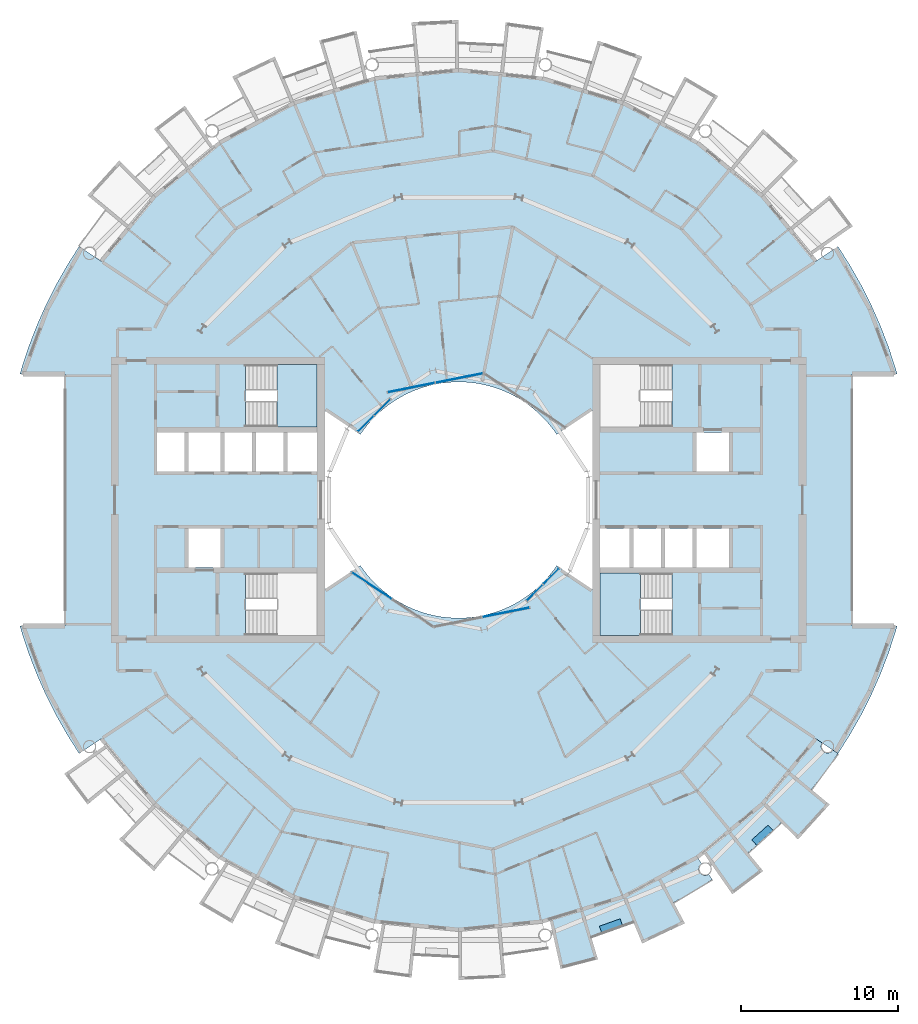
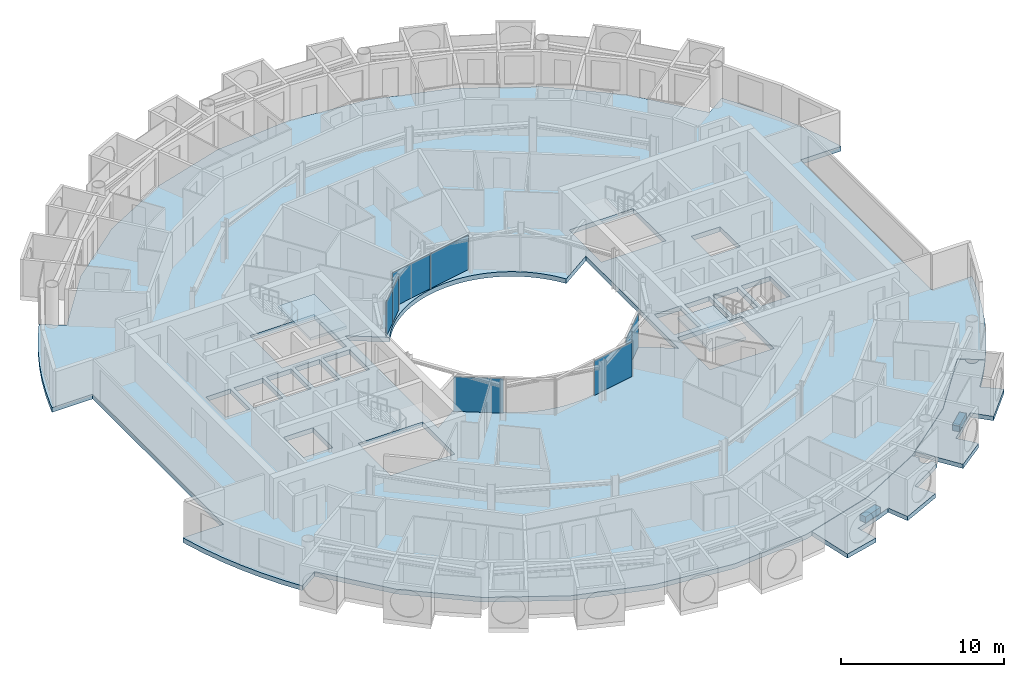
# One storey, part 11 of 27: 8 plates, 7 slabs, 7 elements without a shape of their own.
"""IFC4 building model written with IfcOpenShell, lengths in metres."""

import ifcopenshell
import ifcopenshell.guid

model = None  # the IFC model being written
_history = None  # IfcOwnerHistory: only IFC2X3 demands one
_inside = {}  # id of a spatial element -> (the spatial element, [elements in it])
_under = {}  # id of a project, library or spatial element -> (it, [spatial elements below it])
_declared = {}  # id of a project -> (the project, [libraries it declares])
_typed = {}  # id of a type object -> (the type object, [elements of that type])
_made_of = {}  # id of a material, layer set ... -> (it, [elements and type objects made of it])


def new_model(schema):
    """Start an empty IFC model of exactly this schema.

    Asked for "IFC4X3", IfcOpenShell would pick the latest addendum, in which some entities
    have other attributes; the version numbers below select the first issue.
    IFC2X3 requires an IfcOwnerHistory on every rooted entity: one is made here for all.
    """
    global model, _history
    if schema == "IFC4X3":
        model = ifcopenshell.file(schema_version=(4, 3, 0, 0))
    else:
        model = ifcopenshell.file(schema=schema)
    _inside.clear()
    _under.clear()
    _declared.clear()
    _typed.clear()
    _made_of.clear()
    _history = None
    if model.schema == "IFC2X3":
        org = make("IfcOrganization", Name="unknown")
        user = make(
            "IfcPersonAndOrganization",
            ThePerson=make("IfcPerson", FamilyName="unknown"),
            TheOrganization=org,
        )
        app = make(
            "IfcApplication",
            ApplicationDeveloper=org,
            Version="unknown",
            ApplicationFullName="unknown",
            ApplicationIdentifier="unknown",
        )
        _history = make(
            "IfcOwnerHistory",
            OwningUser=user,
            OwningApplication=app,
            ChangeAction="ADDED",
            CreationDate=0,
        )
    return model


def make(cls, **values):
    """One entity of the class cls with the attributes given. An attribute that is None is left unset."""
    return model.create_entity(
        cls, **{name: value for name, value in values.items() if value is not None}
    )


def rooted(cls, **values):
    """An entity with a GlobalId (a new one), such as an element, a storey or a relation."""
    return make(cls, GlobalId=ifcopenshell.guid.new(), OwnerHistory=_history, **values)


def si_unit(unit_type, name, prefix=None):
    """IfcSIUnit, for example si_unit("LENGTHUNIT", "METRE", prefix="MILLI")."""
    return make("IfcSIUnit", UnitType=unit_type, Prefix=prefix, Name=name)


def assignment(units):
    """IfcUnitAssignment: the units of a project."""
    return None if units is None else make("IfcUnitAssignment", Units=units)


def point(xyz):
    """IfcCartesianPoint."""
    return None if xyz is None else make("IfcCartesianPoint", Coordinates=xyz)


def direction(xyz):
    """IfcDirection."""
    return None if xyz is None else make("IfcDirection", DirectionRatios=xyz)


def frame(location, z_axis=None, x_axis=None):
    """IfcAxis2Placement3D, a coordinate frame: its origin and axes. An axis left out is left unset."""
    return make(
        "IfcAxis2Placement3D",
        Location=point(location),
        Axis=direction(z_axis),
        RefDirection=direction(x_axis),
    )


def frame_2d(location, x_axis=None):
    """IfcAxis2Placement2D, a coordinate frame in the plane: its origin and x axis."""
    return make(
        "IfcAxis2Placement2D", Location=point(location), RefDirection=direction(x_axis)
    )


def origin():
    """The frame at (0, 0, 0) with its axes left unset."""
    return frame((0.0, 0.0, 0.0))


def origin_2d():
    """The frame at (0, 0) in the plane with its x axis left unset."""
    return frame_2d((0.0, 0.0))


def place(relative_to, where):
    """IfcLocalPlacement: puts the frame where relative to a parent placement (None: the world)."""
    return make(
        "IfcLocalPlacement", PlacementRelTo=relative_to, RelativePlacement=where
    )


def context(
    kind, dimensions, precision=None, world=None, true_north=None, identifier=None
):
    """IfcGeometricRepresentationContext, for example the 3D "Model" context."""
    return make(
        "IfcGeometricRepresentationContext",
        ContextIdentifier=identifier,
        ContextType=kind,
        CoordinateSpaceDimension=dimensions,
        Precision=precision,
        WorldCoordinateSystem=world,
        TrueNorth=true_north,
    )


def subcontext(parent, identifier, kind, view, scale=None):
    """IfcGeometricRepresentationSubContext, for example "Body" below "Model"."""
    return make(
        "IfcGeometricRepresentationSubContext",
        ContextIdentifier=identifier,
        ContextType=kind,
        ParentContext=parent,
        TargetScale=scale,
        TargetView=view,
    )


def project(units=None, contexts=None):
    """IfcProject with its units and contexts."""
    return rooted(
        "IfcProject",
        Name="project",
        RepresentationContexts=contexts,
        UnitsInContext=assignment(units),
    )


def spatial(cls, under=None, at=None, **own):
    """A site, building, storey or space (cls), placed at a placement, below another one or the project."""
    s = rooted(cls, ObjectPlacement=at, **own)
    if under is not None:
        _under.setdefault(under.id(), (under, []))[1].append(s)
    return s


def polyline(points):
    """IfcPolyline through the points."""
    return make("IfcPolyline", Points=[point(p) for p in points])


def profile(cls, at=None, kind="AREA", **sizes):
    """A parametric profile (cls). Its sizes go by their IFC names, for example OverallWidth=200.0."""
    return make(cls, ProfileType=kind, Position=at, **sizes)


def rectangle(**sizes):
    """IfcRectangleProfileDef."""
    return profile("IfcRectangleProfileDef", **sizes)


def outline(outer, holes=None, kind="AREA"):
    """IfcArbitraryClosedProfileDef: a profile drawn as a closed curve; with holes, ...WithVoids."""
    if holes is None:
        return make("IfcArbitraryClosedProfileDef", ProfileType=kind, OuterCurve=outer)
    return make(
        "IfcArbitraryProfileDefWithVoids",
        ProfileType=kind,
        OuterCurve=outer,
        InnerCurves=holes,
    )


def extrude(swept, where, along, depth):
    """IfcExtrudedAreaSolid: the profile swept, set in the frame where, extruded along a direction by depth."""
    return make(
        "IfcExtrudedAreaSolid",
        SweptArea=swept,
        Position=where,
        ExtrudedDirection=direction(along),
        Depth=depth,
    )


def shape(context_of_items, identifier, shape_type, items):
    """IfcShapeRepresentation: the items that make up one representation, for example the "Body"."""
    return make(
        "IfcShapeRepresentation",
        ContextOfItems=context_of_items,
        RepresentationIdentifier=identifier,
        RepresentationType=shape_type,
        Items=items,
    )


def material(Name=None, Category=None):
    """IfcMaterial."""
    return make("IfcMaterial", Name=Name, Category=Category)


def layer(
    of_material, thickness, ventilated=None, Name=None, Category=None, Priority=None
):
    """IfcMaterialLayer: one layer of a wall or slab, of a material (None: an air gap)."""
    return make(
        "IfcMaterialLayer",
        Material=of_material,
        LayerThickness=thickness,
        IsVentilated=ventilated,
        Name=Name,
        Category=Category,
        Priority=Priority,
    )


def layer_set(layers, Name=None):
    """IfcMaterialLayerSet."""
    return make("IfcMaterialLayerSet", MaterialLayers=layers, LayerSetName=Name)


def made_of(thing, what):
    """Note that an element or type object is made of a material, layer set ...; save() writes the relation."""
    if what is not None:
        _made_of.setdefault(what.id(), (what, []))[1].append(thing)
    return thing


def type_object(cls, material=None, **own):
    """A type object (cls), such as IfcWallType, which elements share."""
    return made_of(rooted(cls, **own), material)


def element(
    cls,
    number,
    at=None,
    inside=None,
    cuts=None,
    type_object=None,
    material=None,
    context=None,
    identifier="Body",
    shape_type=None,
    held_by="IfcProductDefinitionShape",
    body=None,
    shapes=None,
    **own,
):
    """One element of the class cls, such as IfcWall. Its Tag is "e" and its number.

    at: its placement. inside: the storey or other place that contains it. cuts: it is an
    opening in that element (IfcRelVoidsElement). A single representation is given by context,
    identifier, shape_type and body (its items); several are given by shapes. held_by: the class
    of the entity that holds the representations. save() writes the other relations.
    """
    e = rooted(cls, Tag="e%d" % number, ObjectPlacement=at, **own)
    if body is not None:
        shapes = [shape(context, identifier, shape_type, body)]
    if shapes is not None:
        e.Representation = make(held_by, Representations=shapes)
    if inside is not None:
        _inside.setdefault(inside.id(), (inside, []))[1].append(e)
    if cuts is not None:
        rooted(
            "IfcRelVoidsElement", RelatingBuildingElement=cuts, RelatedOpeningElement=e
        )
    if type_object is not None:
        _typed.setdefault(type_object.id(), (type_object, []))[1].append(e)
    return made_of(e, material)


def aggregate(whole, parts):
    """IfcRelAggregates: a whole, such as a stair, and the parts it consists of."""
    return rooted("IfcRelAggregates", RelatingObject=whole, RelatedObjects=parts)


def save(model, path):
    """Write the relations noted so far, then the file.

    IfcRelAggregates (storeys below a building ...), IfcRelContainedInSpatialStructure (elements
    in a storey), IfcRelDefinesByType, IfcRelAssociatesMaterial and IfcRelDeclares: one each for
    every whole, place, type object, material and project.
    """
    for whole, parts in _under.values():
        aggregate(whole, parts)
    for where, things in _inside.values():
        rooted(
            "IfcRelContainedInSpatialStructure",
            RelatedElements=things,
            RelatingStructure=where,
        )
    for kind, things in _typed.values():
        rooted("IfcRelDefinesByType", RelatedObjects=things, RelatingType=kind)
    for what, things in _made_of.values():
        rooted("IfcRelAssociatesMaterial", RelatedObjects=things, RelatingMaterial=what)
    for by, libraries in _declared.values():
        rooted("IfcRelDeclares", RelatingContext=by, RelatedDefinitions=libraries)
    model.write(path)


model = new_model("IFC4")

# Units and contexts
model_context = context("Model", 3, precision=1e-05, world=origin(), true_north=direction((0.0, 1.0)))
body_context = subcontext(model_context, "Body", "Model", "MODEL_VIEW")
ifc_project = project(units=[si_unit("LENGTHUNIT", "METRE"), si_unit("AREAUNIT", "SQUARE_METRE"), si_unit("VOLUMEUNIT", "CUBIC_METRE"), si_unit("PLANEANGLEUNIT", "RADIAN"), si_unit("MASSUNIT", "GRAM", prefix="KILO")], contexts=[model_context])

# Site, building, storey
site_placement = place(None, origin())
site = spatial("IfcSite", under=ifc_project, at=site_placement, CompositionType="ELEMENT")
building_placement = place(site_placement, origin())
building = spatial("IfcBuilding", under=site, at=building_placement, Name="Maasbend Ring Residences", CompositionType="ELEMENT")
storey_placement = place(building_placement, frame((0.0, 0.0, 148.25)))
storey = spatial("IfcBuildingStorey", under=building, at=storey_placement, Name="L42", CompositionType="ELEMENT", Elevation=148.25)

# Stair, slab
ifc_material_1 = material(Name="Concrete C40/50", Category="concrete")
stair_type = type_object("IfcStairType", Name="CORE STAIR 18 RISERS", PredefinedType="HALF_TURN_STAIR", material=ifc_material_1)
stair_1_placement = place(storey_placement, origin())
stair_1 = element("IfcStair", 1, at=stair_1_placement, inside=storey, type_object=stair_type, Name="L42 Exit stair ST-E2", PredefinedType="HALF_TURN_STAIR")
ifc_material_2 = material(Name="Concrete C40/50", Category="concrete")
ifc_layer_1 = layer(ifc_material_2, 0.199951171875)
ifc_layer_set_1 = layer_set([ifc_layer_1], Name="Concrete C40/50")
slab_type_1 = type_object("IfcSlabType", Name="CORE STAIR LANDING 200", PredefinedType="LANDING", material=ifc_layer_set_1)
slab_1_placement = place(storey_placement, frame((0.0, 0.0, 1.324951171875)))
slab_1 = element("IfcSlab", 2, at=slab_1_placement, type_object=slab_type_1, Name="ST-E2 landing 1", PredefinedType="LANDING", context=body_context, shape_type="SweptSolid", body=[
    extrude(outline(polyline([(11.550048828125, -4.64990234375), (9.0, -4.64990234375), (9.0, -8.60009765625), (11.550048828125, -8.60009765625), (11.550048828125, -4.64990234375)])), origin(), (0.0, 0.0, 1.0), 0.199951171875),
])
aggregate(stair_1, [slab_1])

stair_2_placement = place(storey_placement, origin())
stair_2 = element("IfcStair", 3, at=stair_2_placement, inside=storey, type_object=stair_type, Name="L42 Exit stair ST-W2", PredefinedType="HALF_TURN_STAIR")
slab_2_placement = place(storey_placement, frame((0.0, 0.0, 1.324951171875)))
slab_2 = element("IfcSlab", 4, at=slab_2_placement, type_object=slab_type_1, Name="ST-W2 landing 1", PredefinedType="LANDING", context=body_context, shape_type="SweptSolid", body=[
    extrude(outline(polyline([(-11.550048828125, 4.64990234375), (-9.0, 4.64990234375), (-9.0, 8.60009765625), (-11.550048828125, 8.60009765625), (-11.550048828125, 4.64990234375)])), origin(), (0.0, 0.0, 1.0), 0.199951171875),
])
aggregate(stair_2, [slab_2])

# Curtain wall, plates
ifc_material_3 = material(Name="Aluminium and clear glass", Category="aluminium")
ifc_layer_2 = layer(ifc_material_3, 0.179931640625)
ifc_layer_set_2 = layer_set([ifc_layer_2], Name="CW-W")
curtain_wall_type = type_object("IfcCurtainWallType", Name="CW-W", PredefinedType="NOTDEFINED", material=ifc_layer_set_2)
curtain_wall_1_placement = place(storey_placement, origin())
curtain_wall_1 = element("IfcCurtainWall", 5, at=curtain_wall_1_placement, inside=storey, type_object=curtain_wall_type, Name="Well curtain wall N2", PredefinedType="NOTDEFINED")
ifc_material_4 = material(Name="Glass clear laminated", Category="glass")
ifc_layer_3 = layer(ifc_material_4, 0.031982421875)
ifc_layer_set_3 = layer_set([ifc_layer_3], Name="CWP-W")
plate_type = type_object("IfcPlateType", Name="CWP-W", PredefinedType="CURTAIN_PANEL", material=ifc_layer_set_3)
plate_1_placement = place(storey_placement, frame((0.04638671875, 7.747802734375, 0.0), z_axis=(0.0, 0.0, 1.0), x_axis=(-0.980785280403, -0.195090322016, 0.0)))
plate_1 = element("IfcPlate", 6, at=plate_1_placement, type_object=plate_type, Name="Glass panel well face", PredefinedType="CURTAIN_PANEL", context=body_context, shape_type="SweptSolid", body=[
    extrude(rectangle(XDim=3.053955078125, YDim=0.031982421875, at=origin_2d()), origin(), (0.0, 0.0, 1.0), 2.580078125),
])
plate_2_placement = place(storey_placement, frame((-3.0078125, 7.140380859375, 0.0), z_axis=(0.0, 0.0, 1.0), x_axis=(-0.980785280403, -0.195090322016, 0.0)))
plate_2 = element("IfcPlate", 7, at=plate_2_placement, type_object=plate_type, Name="Glass panel well face", PredefinedType="CURTAIN_PANEL", context=body_context, shape_type="SweptSolid", body=[
    extrude(rectangle(XDim=3.053955078125, YDim=0.031982421875, at=origin_2d()), origin(), (0.0, 0.0, 1.0), 2.580078125),
])
aggregate(curtain_wall_1, [plate_1, plate_2])

curtain_wall_2_placement = place(storey_placement, origin())
curtain_wall_2 = element("IfcCurtainWall", 8, at=curtain_wall_2_placement, inside=storey, type_object=curtain_wall_type, Name="Well curtain wall N3", PredefinedType="NOTDEFINED")
plate_3_placement = place(storey_placement, frame((-4.84375, 5.89013671875, 0.0), z_axis=(0.0, 0.0, 1.0), x_axis=(-0.707106781187, -0.707106781187, 0.0)))
plate_3 = element("IfcPlate", 9, at=plate_3_placement, type_object=plate_type, Name="Glass panel well face", PredefinedType="CURTAIN_PANEL", context=body_context, shape_type="SweptSolid", body=[
    extrude(rectangle(XDim=1.419677734375, YDim=0.031982421875, at=origin_2d()), origin(), (0.0, 0.0, 1.0), 2.580078125),
])
plate_4_placement = place(storey_placement, frame((-5.89013671875, 4.84375, 0.0), z_axis=(0.0, 0.0, 1.0), x_axis=(-0.707106781187, -0.707106781187, 0.0)))
plate_4 = element("IfcPlate", 10, at=plate_4_placement, type_object=plate_type, Name="Glass panel well face", PredefinedType="CURTAIN_PANEL", context=body_context, shape_type="SweptSolid", body=[
    extrude(rectangle(XDim=1.419677734375, YDim=0.031982421875, at=origin_2d()), origin(), (0.0, 0.0, 1.0), 2.580078125),
])
aggregate(curtain_wall_2, [plate_3, plate_4])

# Curtain wall, plate
curtain_wall_3_placement = place(storey_placement, origin())
curtain_wall_3 = element("IfcCurtainWall", 11, at=curtain_wall_3_placement, inside=storey, type_object=curtain_wall_type, Name="Well curtain wall S1", PredefinedType="NOTDEFINED")
plate_5_placement = place(storey_placement, frame((-5.51123046875, -5.44580078125, 0.0), z_axis=(0.0, 0.0, 1.0), x_axis=(0.831469612303, -0.55557023302, 0.0)))
plate_5 = element("IfcPlate", 12, at=plate_5_placement, type_object=plate_type, Name="Glass panel well face", PredefinedType="CURTAIN_PANEL", context=body_context, shape_type="SweptSolid", body=[
    extrude(rectangle(XDim=3.053955078125, YDim=0.031982421875, at=origin_2d()), origin(), (0.0, 0.0, 1.0), 2.580078125),
])
aggregate(curtain_wall_3, [plate_5])

curtain_wall_4_placement = place(storey_placement, origin())
curtain_wall_4 = element("IfcCurtainWall", 13, at=curtain_wall_4_placement, inside=storey, type_object=curtain_wall_type, Name="Well curtain wall S2", PredefinedType="NOTDEFINED")
plate_6_placement = place(storey_placement, frame((3.0078125, -7.140380859375, 0.0), z_axis=(0.0, 0.0, 1.0), x_axis=(0.980785280403, 0.195090322016, 0.0)))
plate_6 = element("IfcPlate", 14, at=plate_6_placement, type_object=plate_type, Name="Glass panel well face", PredefinedType="CURTAIN_PANEL", context=body_context, shape_type="SweptSolid", body=[
    extrude(rectangle(XDim=3.053955078125, YDim=0.031982421875, at=origin_2d()), origin(), (0.0, 0.0, 1.0), 2.580078125),
])
aggregate(curtain_wall_4, [plate_6])

# Curtain wall, plates
curtain_wall_5_placement = place(storey_placement, origin())
curtain_wall_5 = element("IfcCurtainWall", 15, at=curtain_wall_5_placement, inside=storey, type_object=curtain_wall_type, Name="Well curtain wall S3", PredefinedType="NOTDEFINED")
plate_7_placement = place(storey_placement, frame((4.84375, -5.89013671875, 0.0), z_axis=(0.0, 0.0, 1.0), x_axis=(0.707106781187, 0.707106781187, 0.0)))
plate_7 = element("IfcPlate", 16, at=plate_7_placement, type_object=plate_type, Name="Glass panel well face", PredefinedType="CURTAIN_PANEL", context=body_context, shape_type="SweptSolid", body=[
    extrude(rectangle(XDim=1.419677734375, YDim=0.031982421875, at=origin_2d()), origin(), (0.0, 0.0, 1.0), 2.580078125),
])
plate_8_placement = place(storey_placement, frame((5.89013671875, -4.84375, 0.0), z_axis=(0.0, 0.0, 1.0), x_axis=(0.707106781187, 0.707106781187, 0.0)))
plate_8 = element("IfcPlate", 17, at=plate_8_placement, type_object=plate_type, Name="Glass panel well face", PredefinedType="CURTAIN_PANEL", context=body_context, shape_type="SweptSolid", body=[
    extrude(rectangle(XDim=1.419677734375, YDim=0.031982421875, at=origin_2d()), origin(), (0.0, 0.0, 1.0), 2.580078125),
])
aggregate(curtain_wall_5, [plate_7, plate_8])

# Slabs
ifc_material_5 = material(Name="Planting with climbing greenery")
ifc_layer_4 = layer(ifc_material_5, 0.449951171875)
ifc_layer_set_4 = layer_set([ifc_layer_4], Name="PLANTER-LG")
slab_type_2 = type_object("IfcSlabType", Name="PLANTER-LG", PredefinedType="USERDEFINED", material=ifc_layer_set_4)
slab_3_placement = place(storey_placement, frame((0.0, 0.0, -0.030029296875)))
element("IfcSlab", 18, at=slab_3_placement, inside=storey, type_object=slab_type_2, Name="Planter with climbing greenery 4", ObjectType="PLANTER", PredefinedType="USERDEFINED", context=body_context, shape_type="SweptSolid", body=[
    extrude(outline(polyline([(9.09912109375, -27.508056640625), (10.4169921875, -27.035888671875), (10.26611328125, -26.612060546875), (8.947021484375, -27.083984375), (9.09912109375, -27.508056640625)])), origin(), (0.0, 0.0, 1.0), 0.449951171875),
])
slab_4_placement = place(storey_placement, frame((0.0, 0.0, -0.030029296875)))
element("IfcSlab", 19, at=slab_4_placement, inside=storey, type_object=slab_type_2, Name="Planter with climbing greenery 5", ObjectType="PLANTER", PredefinedType="USERDEFINED", context=body_context, shape_type="SweptSolid", body=[
    extrude(outline(polyline([(18.93310546875, -21.931884765625), (19.969970703125, -20.991943359375), (19.66796875, -20.657958984375), (18.631103515625, -21.597900390625), (18.93310546875, -21.931884765625)])), origin(), (0.0, 0.0, 1.0), 0.449951171875),
])
ifc_material_6 = material(Name="Concrete C40/50", Category="concrete")
ifc_layer_5 = layer(ifc_material_6, 0.35009765625)
ifc_layer_set_5 = layer_set([ifc_layer_5], Name="Concrete C40/50")
slab_type_3 = type_object("IfcSlabType", Name="Post-tensioned flat plate 350", PredefinedType="FLOOR", material=ifc_layer_set_5)
slab_5_placement = place(storey_placement, frame((0.0, 0.0, -0.35009765625)))
element("IfcSlab", 20, at=slab_5_placement, inside=storey, type_object=slab_type_3, Name="Floor slab L42", PredefinedType="FLOOR", context=body_context, shape_type="SweptSolid", body=[
    extrude(outline(polyline([(24.8740234375, -14.908935546875), (25.57568359375, -13.67041015625), (26.2158203125, -12.399169921875), (26.79248046875, -11.097900390625), (27.3046875, -9.769775390625), (27.751220703125, -8.418212890625), (27.866943359375, -8.0), (25.0, -8.0), (25.0, 8.0), (27.866943359375, 8.0), (27.751220703125, 8.418212890625), (27.3046875, 9.769775390625), (26.79248046875, 11.097900390625), (26.2158203125, 12.399169921875), (25.57568359375, 13.67041015625), (24.8740234375, 14.908935546875), (24.112548828125, 16.111572265625), (22.69921875, 15.1669921875), (19.303955078125, 19.303955078125), (15.1669921875, 22.69921875), (10.447265625, 25.221923828125), (5.325927734375, 26.775390625), (0.0, 27.300048828125), (-5.325927734375, 26.775390625), (-10.447265625, 25.221923828125), (-15.1669921875, 22.69921875), (-19.303955078125, 19.303955078125), (-22.69921875, 15.1669921875), (-24.112548828125, 16.111572265625), (-24.8740234375, 14.908935546875), (-25.57568359375, 13.67041015625), (-26.2158203125, 12.399169921875), (-26.79248046875, 11.097900390625), (-27.3046875, 9.769775390625), (-27.751220703125, 8.418212890625), (-27.866943359375, 8.0), (-25.0, 8.0), (-25.0, -8.0), (-27.866943359375, -8.0), (-27.751220703125, -8.418212890625), (-27.3046875, -9.769775390625), (-26.79248046875, -11.097900390625), (-26.2158203125, -12.399169921875), (-25.57568359375, -13.67041015625), (-24.8740234375, -14.908935546875), (-24.112548828125, -16.111572265625), (-22.69921875, -15.1669921875), (-19.303955078125, -19.303955078125), (-15.1669921875, -22.69921875), (-10.447265625, -25.221923828125), (-5.325927734375, -26.775390625), (0.0, -27.300048828125), (5.325927734375, -26.775390625), (10.447265625, -25.221923828125), (15.1669921875, -22.69921875), (19.303955078125, -19.303955078125), (22.69921875, -15.1669921875), (24.112548828125, -16.111572265625), (24.8740234375, -14.908935546875)]), holes=[polyline([(15.125, 1.824951171875), (15.125, 4.27490234375), (17.175048828125, 4.27490234375), (17.175048828125, 1.824951171875), (15.125, 1.824951171875)]), polyline([(15.125, -4.27490234375), (15.125, -1.824951171875), (17.175048828125, -1.824951171875), (17.175048828125, -4.27490234375), (15.125, -4.27490234375)]), polyline([(13.125, -4.27490234375), (13.125, -1.824951171875), (14.875, -1.824951171875), (14.875, -4.27490234375), (13.125, -4.27490234375)]), polyline([(13.550048828125, 8.60009765625), (13.550048828125, 4.64990234375), (9.0, 4.64990234375), (9.0, 8.60009765625), (13.550048828125, 8.60009765625)]), polyline([(13.550048828125, -4.64990234375), (13.550048828125, -8.60009765625), (9.0, -8.60009765625), (9.0, -4.64990234375), (13.550048828125, -4.64990234375)]), polyline([(11.125, -4.27490234375), (11.125, -1.824951171875), (12.875, -1.824951171875), (12.875, -4.27490234375), (11.125, -4.27490234375)]), polyline([(9.0, -4.27490234375), (9.0, -1.824951171875), (10.875, -1.824951171875), (10.875, -4.27490234375), (9.0, -4.27490234375)]), polyline([(6.024169921875, 4.4677734375), (6.236083984375, 4.166748046875), (8.5, 5.679443359375), (8.5, -5.679443359375), (6.236083984375, -4.166748046875), (6.024169921875, -4.4677734375), (5.797607421875, -4.7578125), (5.55712890625, -5.03662109375), (5.30322265625, -5.30322265625), (5.03662109375, -5.55712890625), (4.7578125, -5.797607421875), (4.4677734375, -6.024169921875), (4.166748046875, -6.236083984375), (3.855712890625, -6.43310546875), (3.535400390625, -6.614501953125), (3.206787109375, -6.77978515625), (2.8701171875, -6.92919921875), (2.526611328125, -7.0615234375), (2.177001953125, -7.177001953125), (1.822509765625, -7.275146484375), (1.463134765625, -7.35595703125), (1.1005859375, -7.418701171875), (0.735107421875, -7.4638671875), (0.367919921875, -7.490966796875), (0.0, -7.5), (-0.367919921875, -7.490966796875), (-0.735107421875, -7.4638671875), (-1.1005859375, -7.418701171875), (-1.463134765625, -7.35595703125), (-1.822509765625, -7.275146484375), (-2.177001953125, -7.177001953125), (-2.526611328125, -7.0615234375), (-2.8701171875, -6.92919921875), (-3.206787109375, -6.77978515625), (-3.535400390625, -6.614501953125), (-3.855712890625, -6.43310546875), (-4.166748046875, -6.236083984375), (-4.4677734375, -6.024169921875), (-4.7578125, -5.797607421875), (-5.03662109375, -5.55712890625), (-5.30322265625, -5.30322265625), (-5.55712890625, -5.03662109375), (-5.797607421875, -4.7578125), (-6.024169921875, -4.4677734375), (-6.236083984375, -4.166748046875), (-8.5, -5.679443359375), (-8.5, 5.679443359375), (-6.236083984375, 4.166748046875), (-6.024169921875, 4.4677734375), (-5.797607421875, 4.7578125), (-5.55712890625, 5.03662109375), (-5.30322265625, 5.30322265625), (-5.03662109375, 5.55712890625), (-4.7578125, 5.797607421875), (-4.4677734375, 6.024169921875), (-4.166748046875, 6.236083984375), (-3.855712890625, 6.43310546875), (-3.535400390625, 6.614501953125), (-3.206787109375, 6.77978515625), (-2.8701171875, 6.92919921875), (-2.526611328125, 7.0615234375), (-2.177001953125, 7.177001953125), (-1.822509765625, 7.275146484375), (-1.463134765625, 7.35595703125), (-1.1005859375, 7.418701171875), (-0.735107421875, 7.4638671875), (-0.367919921875, 7.490966796875), (0.0, 7.5), (0.367919921875, 7.490966796875), (0.735107421875, 7.4638671875), (1.1005859375, 7.418701171875), (1.463134765625, 7.35595703125), (1.822509765625, 7.275146484375), (2.177001953125, 7.177001953125), (2.526611328125, 7.0615234375), (2.8701171875, 6.92919921875), (3.206787109375, 6.77978515625), (3.535400390625, 6.614501953125), (3.855712890625, 6.43310546875), (4.166748046875, 6.236083984375), (4.4677734375, 6.024169921875), (4.7578125, 5.797607421875), (5.03662109375, 5.55712890625), (5.30322265625, 5.30322265625), (5.55712890625, 5.03662109375), (5.797607421875, 4.7578125), (6.024169921875, 4.4677734375)]), polyline([(-13.550048828125, 4.64990234375), (-13.550048828125, 8.60009765625), (-9.0, 8.60009765625), (-9.0, 4.64990234375), (-13.550048828125, 4.64990234375)]), polyline([(-9.0, -8.60009765625), (-13.550048828125, -8.60009765625), (-13.550048828125, -4.64990234375), (-9.0, -4.64990234375), (-9.0, -8.60009765625)]), polyline([(-9.0, 4.27490234375), (-9.0, 1.824951171875), (-10.875, 1.824951171875), (-10.875, 4.27490234375), (-9.0, 4.27490234375)]), polyline([(-11.125, 4.27490234375), (-11.125, 1.824951171875), (-12.875, 1.824951171875), (-12.875, 4.27490234375), (-11.125, 4.27490234375)]), polyline([(-13.125, 4.27490234375), (-13.125, 1.824951171875), (-14.875, 1.824951171875), (-14.875, 4.27490234375), (-13.125, 4.27490234375)]), polyline([(-15.125, 4.27490234375), (-15.125, 1.824951171875), (-17.175048828125, 1.824951171875), (-17.175048828125, 4.27490234375), (-15.125, 4.27490234375)]), polyline([(-15.125, -1.824951171875), (-15.125, -4.27490234375), (-17.175048828125, -4.27490234375), (-17.175048828125, -1.824951171875), (-15.125, -1.824951171875)]), polyline([(-17.425048828125, 4.27490234375), (-17.425048828125, 1.824951171875), (-19.14990234375, 1.824951171875), (-19.14990234375, 4.27490234375), (-17.425048828125, 4.27490234375)])]), origin(), (0.0, 0.0, 1.0), 0.35009765625),
])
ifc_material_7 = material(Name="Concrete C40/50", Category="concrete")
ifc_layer_6 = layer(ifc_material_7, 0.199951171875)
ifc_layer_set_6 = layer_set([ifc_layer_6], Name="Concrete C40/50")
slab_type_4 = type_object("IfcSlabType", Name="SL-LOGGIA", PredefinedType="FLOOR", material=ifc_layer_set_6)
slab_6_placement = place(storey_placement, frame((0.0, 0.0, -0.35009765625)))
element("IfcSlab", 21, at=slab_6_placement, inside=storey, type_object=slab_type_4, Name="Loggia floor 1", PredefinedType="FLOOR", context=body_context, shape_type="SweptSolid", body=[
    extrude(outline(polyline([(10.447021484375, -25.221923828125), (12.806884765625, -23.9609375), (15.1669921875, -22.698974609375), (15.1669921875, -22.698974609375), (15.1669921875, -22.698974609375), (15.44091796875, -23.10888671875), (15.43310546875, -23.114990234375), (15.425048828125, -23.12109375), (15.4169921875, -23.126953125), (15.408935546875, -23.133056640625), (15.402099609375, -23.139892578125), (15.39404296875, -23.14599609375), (15.386962890625, -23.153076171875), (15.3798828125, -23.159912109375), (15.373046875, -23.1669921875), (15.365966796875, -23.174072265625), (15.35888671875, -23.181884765625), (15.35302734375, -23.18994140625), (15.346923828125, -23.197021484375), (15.341064453125, -23.205078125), (15.3349609375, -23.212890625), (15.3291015625, -23.221923828125), (15.323974609375, -23.22998046875), (15.318115234375, -23.238037109375), (15.31298828125, -23.2470703125), (15.30908203125, -23.256103515625), (15.303955078125, -23.264892578125), (15.300048828125, -23.27392578125), (15.294921875, -23.282958984375), (15.2919921875, -23.2919921875), (15.2880859375, -23.301025390625), (15.283935546875, -23.31005859375), (15.281005859375, -23.320068359375), (15.278076171875, -23.3291015625), (15.27490234375, -23.339111328125), (15.27294921875, -23.34912109375), (15.27001953125, -23.35791015625), (15.26806640625, -23.367919921875), (15.26708984375, -23.3779296875), (15.264892578125, -23.387939453125), (15.263916015625, -23.39794921875), (15.262939453125, -23.407958984375), (15.261962890625, -23.4169921875), (15.260986328125, -23.427001953125), (15.260986328125, -23.43701171875), (15.260986328125, -23.447021484375), (15.260986328125, -23.45703125), (15.260986328125, -23.467041015625), (15.261962890625, -23.47705078125), (15.262939453125, -23.487060546875), (15.263916015625, -23.4970703125), (15.264892578125, -23.507080078125), (15.26708984375, -23.51708984375), (15.26806640625, -23.527099609375), (15.27001953125, -23.535888671875), (15.27294921875, -23.5458984375), (15.27490234375, -23.555908203125), (15.278076171875, -23.56494140625), (15.281005859375, -23.574951171875), (15.283935546875, -23.583984375), (15.2880859375, -23.593994140625), (15.2919921875, -23.60302734375), (15.294921875, -23.612060546875), (15.300048828125, -23.62109375), (15.303955078125, -23.6298828125), (15.30908203125, -23.638916015625), (15.31298828125, -23.64794921875), (15.318115234375, -23.656005859375), (15.323974609375, -23.6650390625), (15.3291015625, -23.673095703125), (15.3349609375, -23.680908203125), (15.341064453125, -23.68994140625), (15.346923828125, -23.697021484375), (15.35302734375, -23.705078125), (15.35888671875, -23.712890625), (15.365966796875, -23.719970703125), (15.373046875, -23.72802734375), (15.3798828125, -23.735107421875), (15.386962890625, -23.741943359375), (15.39404296875, -23.7490234375), (15.402099609375, -23.7548828125), (15.408935546875, -23.761962890625), (15.4169921875, -23.76806640625), (15.425048828125, -23.77392578125), (15.43310546875, -23.780029296875), (15.44091796875, -23.784912109375), (15.449951171875, -23.791015625), (15.4580078125, -23.7958984375), (15.467041015625, -23.801025390625), (15.47509765625, -23.805908203125), (15.48388671875, -23.81005859375), (15.492919921875, -23.81494140625), (15.501953125, -23.819091796875), (15.511962890625, -23.822998046875), (15.52099609375, -23.826904296875), (15.530029296875, -23.830078125), (15.5400390625, -23.8330078125), (15.549072265625, -23.8359375), (15.55908203125, -23.839111328125), (15.568115234375, -23.842041015625), (15.577880859375, -23.843994140625), (15.587890625, -23.845947265625), (15.597900390625, -23.847900390625), (15.60693359375, -23.85009765625), (15.616943359375, -23.85107421875), (15.626953125, -23.85205078125), (15.636962890625, -23.85302734375), (15.64697265625, -23.85302734375), (15.656982421875, -23.85400390625), (15.6669921875, -23.85400390625), (15.677001953125, -23.85400390625), (15.68701171875, -23.85302734375), (15.697021484375, -23.85302734375), (15.70703125, -23.85205078125), (15.717041015625, -23.85107421875), (15.72705078125, -23.85009765625), (15.737060546875, -23.847900390625), (15.74609375, -23.845947265625), (15.756103515625, -23.843994140625), (15.76611328125, -23.842041015625), (15.77587890625, -23.839111328125), (15.784912109375, -23.8359375), (15.794921875, -23.8330078125), (15.803955078125, -23.830078125), (15.81298828125, -23.826904296875), (15.822998046875, -23.822998046875), (15.83203125, -23.819091796875), (15.841064453125, -23.81494140625), (15.85009765625, -23.81005859375), (15.85888671875, -23.805908203125), (15.866943359375, -23.801025390625), (15.8759765625, -23.7958984375), (15.885009765625, -23.791015625), (15.89306640625, -23.784912109375), (16.112060546875, -24.113037109375), (16.112060546875, -24.113037109375), (16.112060546875, -24.113037109375), (15.31396484375, -24.626953125), (15.31396484375, -24.626953125), (14.5, -25.114990234375), (14.5, -25.114990234375), (13.6708984375, -25.574951171875), (13.6708984375, -25.575927734375), (13.6708984375, -25.575927734375), (13.6708984375, -25.575927734375), (13.6708984375, -25.575927734375), (13.6708984375, -25.575927734375), (13.6708984375, -25.575927734375), (13.6708984375, -25.575927734375), (13.6708984375, -25.575927734375), (13.6708984375, -25.575927734375), (13.6708984375, -25.575927734375), (13.6708984375, -25.575927734375), (13.6708984375, -25.575927734375), (13.6708984375, -25.575927734375), (13.6708984375, -25.575927734375), (13.6708984375, -25.575927734375), (13.6708984375, -25.575927734375), (14.3779296875, -26.89892578125), (14.3779296875, -26.89892578125), (14.3779296875, -26.89892578125), (11.672119140625, -28.177978515625), (11.672119140625, -28.177978515625), (11.672119140625, -28.177978515625), (11.097900390625, -26.79296875), (11.097900390625, -26.79296875), (11.097900390625, -26.79296875), (11.097900390625, -26.79296875), (11.097900390625, -26.79296875), (11.097900390625, -26.79296875), (11.097900390625, -26.79296875), (11.097900390625, -26.79296875), (11.097900390625, -26.79296875), (11.097900390625, -26.79296875), (11.097900390625, -26.79296875), (11.097900390625, -26.79296875), (11.097900390625, -26.79296875), (11.097900390625, -26.79296875), (11.096923828125, -26.79296875), (11.096923828125, -26.79296875), (11.096923828125, -26.79296875), (10.215087890625, -27.14111328125), (10.215087890625, -27.14111328125), (9.322021484375, -27.4609375), (9.322021484375, -27.4609375), (8.4189453125, -27.7509765625), (8.4189453125, -27.7509765625), (8.4189453125, -27.7509765625), (8.4189453125, -27.7509765625), (8.4189453125, -27.7509765625), (8.4189453125, -27.7509765625), (8.41796875, -27.7509765625), (8.41796875, -27.7509765625), (8.41796875, -27.7509765625), (8.41796875, -27.7509765625), (8.41796875, -27.7509765625), (8.41796875, -27.751953125), (8.41796875, -27.751953125), (8.41796875, -27.751953125), (8.41796875, -27.751953125), (8.41796875, -27.751953125), (8.41796875, -27.751953125), (8.85400390625, -29.18701171875), (8.85400390625, -29.18701171875), (8.85400390625, -29.18701171875), (6.487060546875, -29.802001953125), (6.487060546875, -29.802001953125), (6.487060546875, -29.802001953125), (5.797119140625, -26.633056640625), (5.797119140625, -26.633056640625), (5.797119140625, -26.633056640625), (7.886962890625, -25.9990234375), (10.447021484375, -25.221923828125), (10.447021484375, -25.221923828125), (10.447021484375, -25.221923828125)])), origin(), (0.0, 0.0, 1.0), 0.320068359375),
])
slab_7_placement = place(storey_placement, frame((0.0, 0.0, -0.35009765625)))
element("IfcSlab", 22, at=slab_7_placement, inside=storey, type_object=slab_type_4, Name="Loggia floor 4", PredefinedType="FLOOR", context=body_context, shape_type="SweptSolid", body=[
    extrude(outline(polyline([(19.303955078125, -19.303955078125), (21.001953125, -17.236083984375), (22.698974609375, -15.1669921875), (22.698974609375, -15.1669921875), (22.698974609375, -15.1669921875), (23.10888671875, -15.44091796875), (23.10888671875, -15.44091796875), (23.10400390625, -15.449951171875), (23.09912109375, -15.4580078125), (23.093994140625, -15.467041015625), (23.089111328125, -15.47509765625), (23.083984375, -15.48388671875), (23.080078125, -15.492919921875), (23.075927734375, -15.501953125), (23.072021484375, -15.511962890625), (23.068115234375, -15.52099609375), (23.06494140625, -15.530029296875), (23.06103515625, -15.5400390625), (23.05810546875, -15.549072265625), (23.055908203125, -15.55908203125), (23.052978515625, -15.568115234375), (23.051025390625, -15.577880859375), (23.049072265625, -15.587890625), (23.047119140625, -15.597900390625), (23.044921875, -15.60693359375), (23.0439453125, -15.616943359375), (23.04296875, -15.626953125), (23.0419921875, -15.636962890625), (23.041015625, -15.64697265625), (23.041015625, -15.656982421875), (23.041015625, -15.6669921875), (23.041015625, -15.677001953125), (23.041015625, -15.68701171875), (23.0419921875, -15.697021484375), (23.04296875, -15.70703125), (23.0439453125, -15.717041015625), (23.044921875, -15.72705078125), (23.047119140625, -15.737060546875), (23.049072265625, -15.74609375), (23.051025390625, -15.756103515625), (23.052978515625, -15.76611328125), (23.055908203125, -15.77587890625), (23.05810546875, -15.784912109375), (23.06103515625, -15.794921875), (23.06494140625, -15.803955078125), (23.068115234375, -15.81298828125), (23.072021484375, -15.822998046875), (23.075927734375, -15.83203125), (23.080078125, -15.841064453125), (23.083984375, -15.85009765625), (23.089111328125, -15.85888671875), (23.093994140625, -15.866943359375), (23.09912109375, -15.8759765625), (23.10400390625, -15.885009765625), (23.10888671875, -15.89306640625), (23.114990234375, -15.90087890625), (23.12109375, -15.908935546875), (23.126953125, -15.9169921875), (23.133056640625, -15.925048828125), (23.139892578125, -15.93310546875), (23.14599609375, -15.93994140625), (23.153076171875, -15.947021484375), (23.159912109375, -15.955078125), (23.1669921875, -15.9619140625), (23.174072265625, -15.968017578125), (23.181884765625, -15.97509765625), (23.18994140625, -15.98095703125), (23.197021484375, -15.988037109375), (23.205078125, -15.993896484375), (23.212890625, -15.9990234375), (23.221923828125, -16.0048828125), (23.22998046875, -16.010986328125), (23.238037109375, -16.01611328125), (23.2470703125, -16.02099609375), (23.256103515625, -16.02587890625), (23.264892578125, -16.030029296875), (23.27392578125, -16.034912109375), (23.282958984375, -16.0390625), (23.2919921875, -16.04296875), (23.301025390625, -16.0458984375), (23.31005859375, -16.050048828125), (23.320068359375, -16.052978515625), (23.3291015625, -16.055908203125), (23.339111328125, -16.05908203125), (23.34912109375, -16.06103515625), (23.35791015625, -16.06396484375), (23.367919921875, -16.06591796875), (23.3779296875, -16.068115234375), (23.387939453125, -16.069091796875), (23.39794921875, -16.071044921875), (23.407958984375, -16.072021484375), (23.4169921875, -16.072021484375), (23.427001953125, -16.072998046875), (23.43701171875, -16.072998046875), (23.447021484375, -16.073974609375), (23.45703125, -16.072998046875), (23.467041015625, -16.072998046875), (23.47705078125, -16.072021484375), (23.487060546875, -16.072021484375), (23.4970703125, -16.071044921875), (23.507080078125, -16.069091796875), (23.51708984375, -16.068115234375), (23.527099609375, -16.06591796875), (23.535888671875, -16.06396484375), (23.5458984375, -16.06103515625), (23.555908203125, -16.05908203125), (23.56494140625, -16.055908203125), (23.574951171875, -16.052978515625), (23.583984375, -16.050048828125), (23.593994140625, -16.0458984375), (23.60302734375, -16.04296875), (23.612060546875, -16.0390625), (23.62109375, -16.034912109375), (23.6298828125, -16.030029296875), (23.638916015625, -16.02587890625), (23.64794921875, -16.02099609375), (23.656005859375, -16.01611328125), (23.6650390625, -16.010986328125), (23.673095703125, -16.0048828125), (23.680908203125, -15.9990234375), (23.68994140625, -15.993896484375), (23.697021484375, -15.988037109375), (23.705078125, -15.98095703125), (23.712890625, -15.97509765625), (23.719970703125, -15.968017578125), (23.72802734375, -15.9619140625), (23.735107421875, -15.955078125), (23.741943359375, -15.947021484375), (23.7490234375, -15.93994140625), (23.7548828125, -15.93310546875), (23.761962890625, -15.925048828125), (23.76806640625, -15.9169921875), (23.77392578125, -15.908935546875), (23.780029296875, -15.90087890625), (23.784912109375, -15.89306640625), (23.784912109375, -15.89306640625), (24.113037109375, -16.112060546875), (24.113037109375, -16.112060546875), (24.113037109375, -16.112060546875), (23.572998046875, -16.89208984375), (23.572998046875, -16.89208984375), (23.007080078125, -17.654052734375), (23.007080078125, -17.654052734375), (22.41796875, -18.39697265625), (22.41796875, -18.39697265625), (22.41796875, -18.39697265625), (22.41796875, -18.39697265625), (22.41796875, -18.39697265625), (22.41796875, -18.39697265625), (22.41796875, -18.39697265625), (22.41796875, -18.39697265625), (22.41796875, -18.39697265625), (22.41796875, -18.39697265625), (22.41796875, -18.39697265625), (22.41796875, -18.39794921875), (22.41796875, -18.39794921875), (22.41796875, -18.39794921875), (22.41796875, -18.39794921875), (22.41796875, -18.39794921875), (22.41796875, -18.39794921875), (23.576904296875, -19.34912109375), (23.576904296875, -19.34912109375), (23.576904296875, -19.34912109375), (21.56689453125, -21.56689453125), (21.56689453125, -21.56689453125), (21.56689453125, -21.56689453125), (20.506103515625, -20.506103515625), (20.506103515625, -20.506103515625), (20.506103515625, -20.506103515625), (20.506103515625, -20.506103515625), (20.506103515625, -20.506103515625), (20.506103515625, -20.506103515625), (20.506103515625, -20.506103515625), (20.506103515625, -20.506103515625), (20.506103515625, -20.506103515625), (20.506103515625, -20.506103515625), (20.506103515625, -20.506103515625), (20.506103515625, -20.506103515625), (20.506103515625, -20.506103515625), (20.506103515625, -20.506103515625), (20.506103515625, -20.506103515625), (20.506103515625, -20.506103515625), (20.506103515625, -20.506103515625), (19.823974609375, -21.166015625), (19.823974609375, -21.166015625), (19.12109375, -21.802978515625), (19.12109375, -21.802978515625), (18.39794921875, -22.4169921875), (18.39794921875, -22.4169921875), (18.39794921875, -22.4169921875), (18.39794921875, -22.4169921875), (18.39794921875, -22.4169921875), (18.39794921875, -22.4169921875), (18.39794921875, -22.4169921875), (18.39794921875, -22.4169921875), (18.39794921875, -22.4169921875), (18.39794921875, -22.4169921875), (18.39794921875, -22.4169921875), (18.39794921875, -22.4169921875), (18.39794921875, -22.41796875), (18.39794921875, -22.41796875), (18.39794921875, -22.41796875), (18.39794921875, -22.41796875), (18.39794921875, -22.41796875), (19.34912109375, -23.576904296875), (19.34912109375, -23.576904296875), (19.34912109375, -23.576904296875), (17.39794921875, -25.051025390625), (17.39794921875, -25.051025390625), (17.39794921875, -25.051025390625), (15.547119140625, -22.386962890625), (15.547119140625, -22.386962890625), (15.547119140625, -22.386962890625), (17.236083984375, -21.001953125), (19.303955078125, -19.303955078125), (19.303955078125, -19.303955078125), (19.303955078125, -19.303955078125)])), origin(), (0.0, 0.0, 1.0), 0.320068359375),
])

save(model, "model.ifc")
